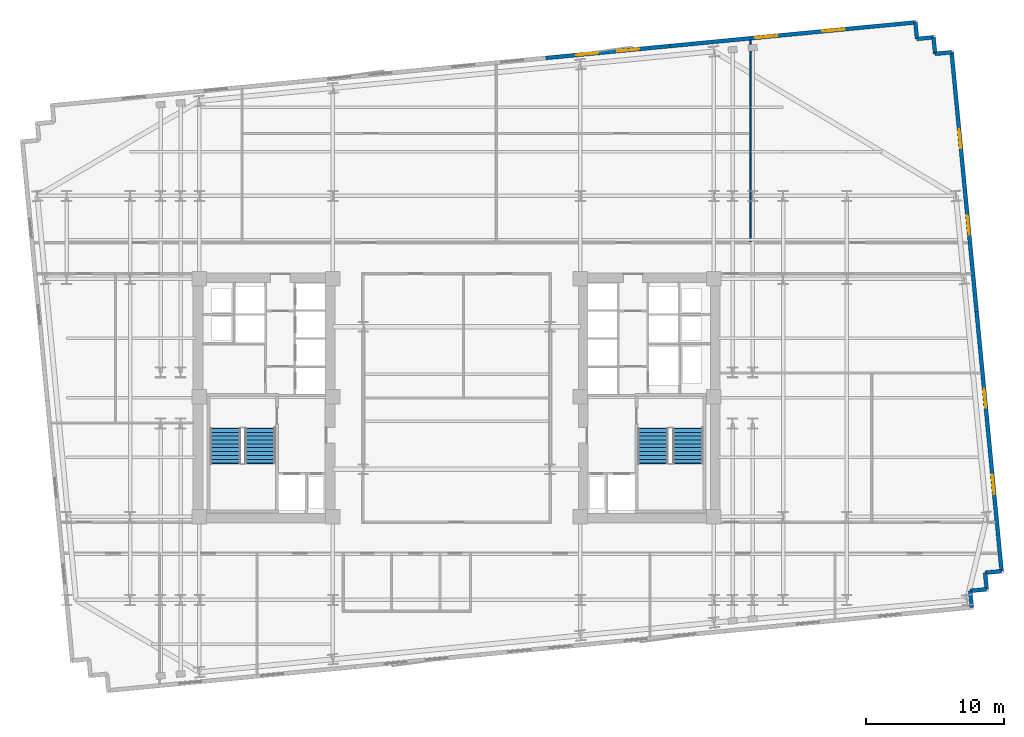
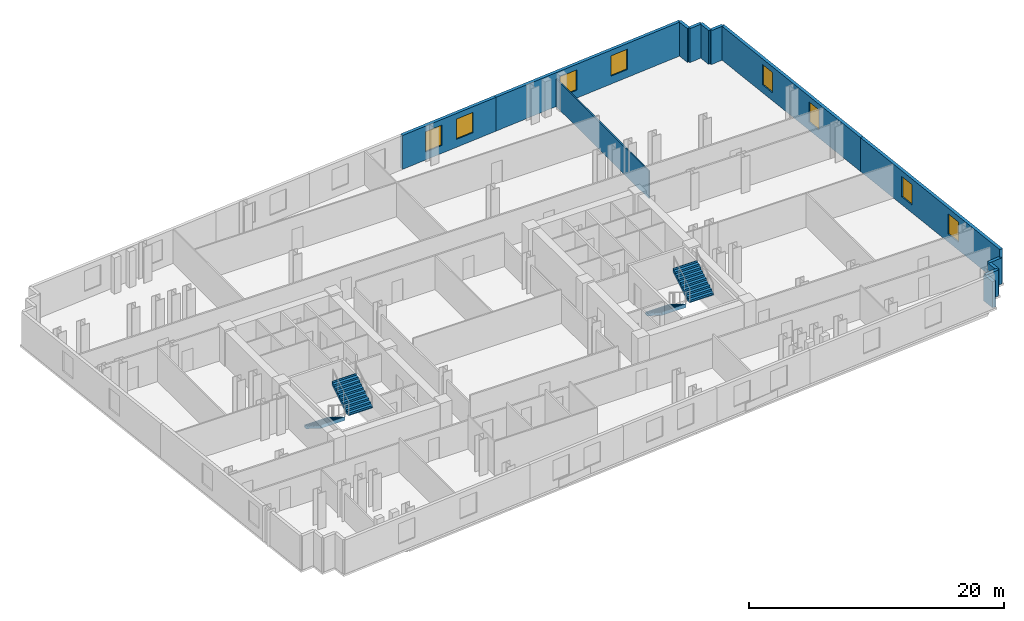
# One storey, part 8 of 10: 13 walls, 8 windows, 4 stair flights, 8 openings, 2 elements without a shape of their own.
"""IFC4 building model written with IfcOpenShell, lengths in metres."""

from ifc_helpers import new_model, si_unit, direction, frame, frame_2d, origin, place, context, subcontext, project, spatial, polyline, rectangle, outline, extrude, material, layer, layer_set, type_object, element, fill, aggregate, save


model = new_model("IFC4")

# Units and contexts
model_context = context("Model", 3, precision=1e-05, world=origin(), true_north=direction((0.0, 1.0)))
body_context = subcontext(model_context, "Body", "Model", "MODEL_VIEW")
ifc_project = project(units=[si_unit("LENGTHUNIT", "METRE"), si_unit("AREAUNIT", "SQUARE_METRE"), si_unit("VOLUMEUNIT", "CUBIC_METRE"), si_unit("PLANEANGLEUNIT", "RADIAN"), si_unit("MASSUNIT", "GRAM", prefix="KILO")], contexts=[model_context])

# Site, building, storey
site_placement = place(None, origin())
site = spatial("IfcSite", under=ifc_project, at=site_placement, CompositionType="ELEMENT")
building_placement = place(site_placement, origin())
building = spatial("IfcBuilding", under=site, at=building_placement, Name="Velakula Bourse", CompositionType="ELEMENT")
storey_placement = place(building_placement, frame((0.0, 0.0, 94.89990234375)))
storey = spatial("IfcBuildingStorey", under=building, at=storey_placement, Name="L25", CompositionType="ELEMENT", Elevation=94.89990234375)

# Wall, openings, windows
ifc_material_1 = material(Name="Red kilned clay facing brick masonry", Category="masonry")
ifc_layer_1 = layer(ifc_material_1, 0.280029296875, Name="Red kilned clay facing brick masonry", Category="masonry")
ifc_layer_set_1 = layer_set([ifc_layer_1], Name="Red kilned clay facing brick masonry")
wall_type_1 = type_object("IfcWallType", Name="WL-EXT-BRK-280", PredefinedType="STANDARD", material=ifc_layer_set_1)
wall_1_placement = place(storey_placement, frame((6.443603515625, 24.573486328125, 0.0), z_axis=(0.0, 0.0, 1.0), x_axis=(0.995396794462, 0.09583956164, 0.0)))
wall_1 = element("IfcWall", 1, at=wall_1_placement, inside=storey, type_object=wall_type_1, Name="L25 N Brick Spandrel Wall B4", PredefinedType="STANDARD", context=body_context, shape_type="SweptSolid", body=[
    extrude(rectangle(XDim=9.0, YDim=0.280029296875, at=frame_2d((4.5, 0.0))), origin(), (0.0, 0.0, 1.0), 3.25),
])
opening_1_placement = place(wall_1_placement, frame((2.199951171875, 0.0, 0.760009765625)))
opening_1 = element("IfcOpeningElement", 2, at=opening_1_placement, cuts=wall_1, Name="Opening W-02", PredefinedType="OPENING", context=body_context, shape_type="SweptSolid", body=[
    extrude(rectangle(XDim=1.60009765625, YDim=1.949951171875, at=frame_2d((0.800048828125, 0.97509765625))), frame((0.0, 0.14990234375, 0.0), z_axis=(0.0, -1.0, 0.0), x_axis=(1.0, 0.0, 0.0)), (0.0, 0.0, 1.0), 0.300048828125),
])
opening_2_placement = place(wall_1_placement, frame((5.199951171875, 0.0, 0.760009765625)))
opening_2 = element("IfcOpeningElement", 3, at=opening_2_placement, cuts=wall_1, Name="Opening W-02", PredefinedType="OPENING", context=body_context, shape_type="SweptSolid", body=[
    extrude(rectangle(XDim=1.60009765625, YDim=1.949951171875, at=frame_2d((0.800048828125, 0.97509765625))), frame((0.0, 0.14990234375, 0.0), z_axis=(0.0, -1.0, 0.0), x_axis=(1.0, 0.0, 0.0)), (0.0, 0.0, 1.0), 0.300048828125),
])
ifc_material_2 = material(Name="Double-glazed solar-control Low-E glass", Category="glass")
window_type_1 = type_object("IfcWindowType", Name="WIN-TWR-1600x2100", PartitioningType="SINGLE_PANEL", PredefinedType="WINDOW", material=ifc_material_2)
window_1_placement = place(opening_1_placement, origin())
window_1 = element("IfcWindow", 4, at=window_1_placement, inside=storey, type_object=window_type_1, Name="L25 Deep-Set Recessed Window 1", OverallHeight=1.949951171875, OverallWidth=1.60009765625, PartitioningType="SINGLE_PANEL", PredefinedType="WINDOW", context=body_context, shape_type="SweptSolid", body=[
    extrude(rectangle(XDim=1.60009765625, YDim=1.949951171875, at=frame_2d((0.800048828125, 0.97509765625))), frame((0.0, 0.030029296875, 0.0), z_axis=(0.0, -1.0, 0.0), x_axis=(1.0, 0.0, 0.0)), (0.0, 0.0, 1.0), 0.06005859375),
])
fill(opening_1, window_1)
window_2_placement = place(opening_2_placement, origin())
window_2 = element("IfcWindow", 5, at=window_2_placement, inside=storey, type_object=window_type_1, Name="L25 Deep-Set Recessed Window 2", OverallHeight=1.949951171875, OverallWidth=1.60009765625, PartitioningType="SINGLE_PANEL", PredefinedType="WINDOW", context=body_context, shape_type="SweptSolid", body=[
    extrude(rectangle(XDim=1.60009765625, YDim=1.949951171875, at=frame_2d((0.800048828125, 0.97509765625))), frame((0.0, 0.030029296875, 0.0), z_axis=(0.0, -1.0, 0.0), x_axis=(1.0, 0.0, 0.0)), (0.0, 0.0, 1.0), 0.06005859375),
])
fill(opening_2, window_2)

wall_2_placement = place(storey_placement, frame((15.402099609375, 25.43603515625, 0.0), z_axis=(0.0, 0.0, 1.0), x_axis=(0.995395780835, 0.095850088663, 0.0)))
wall_2 = element("IfcWall", 6, at=wall_2_placement, inside=storey, type_object=wall_type_1, Name="L25 N Brick Spandrel Wall B5", PredefinedType="STANDARD", context=body_context, shape_type="SweptSolid", body=[
    extrude(rectangle(XDim=17.83984375, YDim=0.280029296875, at=frame_2d((8.919921875, 0.0))), origin(), (0.0, 0.0, 1.0), 3.25),
])
opening_3_placement = place(wall_2_placement, frame((6.19677734375, 0.0, 0.760009765625)))
opening_3 = element("IfcOpeningElement", 7, at=opening_3_placement, cuts=wall_2, Name="Opening W-02", PredefinedType="OPENING", context=body_context, shape_type="SweptSolid", body=[
    extrude(rectangle(XDim=1.60009765625, YDim=1.949951171875, at=frame_2d((0.800048828125, 0.97509765625))), frame((0.0, 0.14990234375, 0.0), z_axis=(0.0, -1.0, 0.0), x_axis=(1.0, 0.0, 0.0)), (0.0, 0.0, 1.0), 0.300048828125),
])
opening_4_placement = place(wall_2_placement, frame((11.09326171875, 0.0, 0.760009765625)))
opening_4 = element("IfcOpeningElement", 8, at=opening_4_placement, cuts=wall_2, Name="Opening W-02", PredefinedType="OPENING", context=body_context, shape_type="SweptSolid", body=[
    extrude(rectangle(XDim=1.60009765625, YDim=1.949951171875, at=frame_2d((0.800048828125, 0.97509765625))), frame((0.0, 0.14990234375, 0.0), z_axis=(0.0, -1.0, 0.0), x_axis=(1.0, 0.0, 0.0)), (0.0, 0.0, 1.0), 0.300048828125),
])
window_3_placement = place(opening_3_placement, origin())
window_3 = element("IfcWindow", 9, at=window_3_placement, inside=storey, type_object=window_type_1, Name="L25 Deep-Set Recessed Window 1", OverallHeight=1.949951171875, OverallWidth=1.60009765625, PartitioningType="SINGLE_PANEL", PredefinedType="WINDOW", context=body_context, shape_type="SweptSolid", body=[
    extrude(rectangle(XDim=1.60009765625, YDim=1.949951171875, at=frame_2d((0.800048828125, 0.97509765625))), frame((0.0, 0.030029296875, 0.0), z_axis=(0.0, -1.0, 0.0), x_axis=(1.0, 0.0, 0.0)), (0.0, 0.0, 1.0), 0.06005859375),
])
fill(opening_3, window_3)
window_4_placement = place(opening_4_placement, origin())
window_4 = element("IfcWindow", 10, at=window_4_placement, inside=storey, type_object=window_type_1, Name="L25 Deep-Set Recessed Window 2", OverallHeight=1.949951171875, OverallWidth=1.60009765625, PartitioningType="SINGLE_PANEL", PredefinedType="WINDOW", context=body_context, shape_type="SweptSolid", body=[
    extrude(rectangle(XDim=1.60009765625, YDim=1.949951171875, at=frame_2d((0.800048828125, 0.97509765625))), frame((0.0, 0.030029296875, 0.0), z_axis=(0.0, -1.0, 0.0), x_axis=(1.0, 0.0, 0.0)), (0.0, 0.0, 1.0), 0.06005859375),
])
fill(opening_4, window_4)

wall_3_placement = place(storey_placement, frame((37.584716796875, 6.23388671875, 0.0), z_axis=(0.0, 0.0, 1.0), x_axis=(0.095841297881, -0.99539662729, 0.0)))
wall_3 = element("IfcWall", 11, at=wall_3_placement, inside=storey, type_object=wall_type_1, Name="L25 E Brick End Wall W1", PredefinedType="STANDARD", context=body_context, shape_type="SweptSolid", body=[
    extrude(rectangle(XDim=18.840087890625, YDim=0.280029296875, at=frame_2d((9.419921875, 0.0))), origin(), (0.0, 0.0, 1.0), 3.25),
])
opening_5_placement = place(wall_3_placement, frame((5.580078125, 0.0, 0.760009765625)))
opening_5 = element("IfcOpeningElement", 12, at=opening_5_placement, cuts=wall_3, Name="Opening W-03", PredefinedType="OPENING", context=body_context, shape_type="SweptSolid", body=[
    extrude(rectangle(XDim=1.39990234375, YDim=1.949951171875, at=frame_2d((0.699951171875, 0.97509765625))), frame((0.0, 0.14990234375, 0.0), z_axis=(0.0, -1.0, 0.0), x_axis=(1.0, 0.0, 0.0)), (0.0, 0.0, 1.0), 0.300048828125),
])
opening_6_placement = place(wall_3_placement, frame((11.860107421875, 0.0, 0.760009765625)))
opening_6 = element("IfcOpeningElement", 13, at=opening_6_placement, cuts=wall_3, Name="Opening W-03", PredefinedType="OPENING", context=body_context, shape_type="SweptSolid", body=[
    extrude(rectangle(XDim=1.39990234375, YDim=1.949951171875, at=frame_2d((0.699951171875, 0.97509765625))), frame((0.0, 0.14990234375, 0.0), z_axis=(0.0, -1.0, 0.0), x_axis=(1.0, 0.0, 0.0)), (0.0, 0.0, 1.0), 0.300048828125),
])
window_type_2 = type_object("IfcWindowType", Name="WIN-TWR-1400x2100", PartitioningType="SINGLE_PANEL", PredefinedType="WINDOW", material=ifc_material_2)
window_5_placement = place(opening_5_placement, origin())
window_5 = element("IfcWindow", 14, at=window_5_placement, inside=storey, type_object=window_type_2, Name="L25 Deep-Set Recessed Window 1", OverallHeight=1.949951171875, OverallWidth=1.39990234375, PartitioningType="SINGLE_PANEL", PredefinedType="WINDOW", context=body_context, shape_type="SweptSolid", body=[
    extrude(rectangle(XDim=1.39990234375, YDim=1.949951171875, at=frame_2d((0.699951171875, 0.97509765625))), frame((0.0, 0.030029296875, 0.0), z_axis=(0.0, -1.0, 0.0), x_axis=(1.0, 0.0, 0.0)), (0.0, 0.0, 1.0), 0.06005859375),
])
fill(opening_5, window_5)
window_6_placement = place(opening_6_placement, origin())
window_6 = element("IfcWindow", 15, at=window_6_placement, inside=storey, type_object=window_type_2, Name="L25 Deep-Set Recessed Window 2", OverallHeight=1.949951171875, OverallWidth=1.39990234375, PartitioningType="SINGLE_PANEL", PredefinedType="WINDOW", context=body_context, shape_type="SweptSolid", body=[
    extrude(rectangle(XDim=1.39990234375, YDim=1.949951171875, at=frame_2d((0.699951171875, 0.97509765625))), frame((0.0, 0.030029296875, 0.0), z_axis=(0.0, -1.0, 0.0), x_axis=(1.0, 0.0, 0.0)), (0.0, 0.0, 1.0), 0.06005859375),
])
fill(opening_6, window_6)

wall_4_placement = place(storey_placement, frame((35.779052734375, 24.987060546875, 0.0), z_axis=(0.0, 0.0, 1.0), x_axis=(0.095842534142, -0.995396508256, 0.0)))
wall_4 = element("IfcWall", 16, at=wall_4_placement, inside=storey, type_object=wall_type_1, Name="L25 E Brick End Wall W2", PredefinedType="STANDARD", context=body_context, shape_type="SweptSolid", body=[
    extrude(rectangle(XDim=18.83984375, YDim=0.280029296875, at=frame_2d((9.419921875, 0.0))), origin(), (0.0, 0.0, 1.0), 3.25),
])
opening_7_placement = place(wall_4_placement, frame((5.580078125, 0.0, 0.760009765625)))
opening_7 = element("IfcOpeningElement", 17, at=opening_7_placement, cuts=wall_4, Name="Opening W-03", PredefinedType="OPENING", context=body_context, shape_type="SweptSolid", body=[
    extrude(rectangle(XDim=1.39990234375, YDim=1.949951171875, at=frame_2d((0.699951171875, 0.97509765625))), frame((0.0, 0.14990234375, 0.0), z_axis=(0.0, -1.0, 0.0), x_axis=(1.0, 0.0, 0.0)), (0.0, 0.0, 1.0), 0.300048828125),
])
opening_8_placement = place(wall_4_placement, frame((11.860107421875, 0.0, 0.760009765625)))
opening_8 = element("IfcOpeningElement", 18, at=opening_8_placement, cuts=wall_4, Name="Opening W-03", PredefinedType="OPENING", context=body_context, shape_type="SweptSolid", body=[
    extrude(rectangle(XDim=1.39990234375, YDim=1.949951171875, at=frame_2d((0.699951171875, 0.97509765625))), frame((0.0, 0.14990234375, 0.0), z_axis=(0.0, -1.0, 0.0), x_axis=(1.0, 0.0, 0.0)), (0.0, 0.0, 1.0), 0.300048828125),
])
window_7_placement = place(opening_7_placement, origin())
window_7 = element("IfcWindow", 19, at=window_7_placement, inside=storey, type_object=window_type_2, Name="L25 Deep-Set Recessed Window 1", OverallHeight=1.949951171875, OverallWidth=1.39990234375, PartitioningType="SINGLE_PANEL", PredefinedType="WINDOW", context=body_context, shape_type="SweptSolid", body=[
    extrude(rectangle(XDim=1.39990234375, YDim=1.949951171875, at=frame_2d((0.699951171875, 0.97509765625))), frame((0.0, 0.030029296875, 0.0), z_axis=(0.0, -1.0, 0.0), x_axis=(1.0, 0.0, 0.0)), (0.0, 0.0, 1.0), 0.06005859375),
])
fill(opening_7, window_7)
window_8_placement = place(opening_8_placement, origin())
window_8 = element("IfcWindow", 20, at=window_8_placement, inside=storey, type_object=window_type_2, Name="L25 Deep-Set Recessed Window 2", OverallHeight=1.949951171875, OverallWidth=1.39990234375, PartitioningType="SINGLE_PANEL", PredefinedType="WINDOW", context=body_context, shape_type="SweptSolid", body=[
    extrude(rectangle(XDim=1.39990234375, YDim=1.949951171875, at=frame_2d((0.699951171875, 0.97509765625))), frame((0.0, 0.030029296875, 0.0), z_axis=(0.0, -1.0, 0.0), x_axis=(1.0, 0.0, 0.0)), (0.0, 0.0, 1.0), 0.06005859375),
])
fill(opening_8, window_8)

# Walls
for number, where, z_axis, x_axis, name in (
    (21, (37.2314453125, -15.138427734375, 0.0), (0.0, 0.0, 1.0), (-0.095817067274, 0.995398960025, 0.0), "L25 Serrated Corner Brick Wall SE-1"),
    (22, (37.116455078125, -13.94384765625, 0.0), (0.0, 0.0, 1.0), (0.995398960025, 0.095817067274, 0.0), "L25 Serrated Corner Brick Wall SE-2"),
):
    element("IfcWall", number, at=place(storey_placement, frame(where, z_axis=z_axis, x_axis=x_axis)), inside=storey, type_object=wall_type_1, Name=name, PredefinedType="STANDARD", context=body_context, shape_type="SweptSolid", body=[
        extrude(rectangle(XDim=1.2001953125, YDim=0.280029296875, at=frame_2d((0.60009765625, 0.0))), origin(), (0.0, 0.0, 1.0), 2.4951171875),
    ])
for number, where, z_axis, x_axis, name in (
    (23, (38.31103515625, -13.828857421875, 0.0), (0.0, 0.0, 1.0), (-0.095836473879, 0.995397091755, 0.0), "L25 Serrated Corner Brick Wall SE-3"),
    (24, (38.196044921875, -12.634521484375, 0.0), (0.0, 0.0, 1.0), (0.995397091755, 0.095836473879, 0.0), "L25 Serrated Corner Brick Wall SE-4"),
):
    element("IfcWall", number, at=place(storey_placement, frame(where, z_axis=z_axis, x_axis=x_axis)), inside=storey, type_object=wall_type_1, Name=name, PredefinedType="STANDARD", context=body_context, shape_type="SweptSolid", body=[
        extrude(rectangle(XDim=1.199951171875, YDim=0.280029296875, at=frame_2d((0.60009765625, 0.0))), origin(), (0.0, 0.0, 1.0), 2.4951171875),
    ])
for number, where, z_axis, x_axis, name in (
    (25, (35.779052734375, 24.987060546875, 0.0), (0.0, 0.0, 1.0), (-0.995398960025, -0.095817067274, 0.0), "L25 Serrated Corner Brick Wall NE-1"),
    (26, (34.58447265625, 24.8720703125, 0.0), (0.0, 0.0, 1.0), (-0.095817067274, 0.995398960025, 0.0), "L25 Serrated Corner Brick Wall NE-2"),
    (27, (34.469482421875, 26.066650390625, 0.0), (0.0, 0.0, 1.0), (-0.995398960025, -0.095817067274, 0.0), "L25 Serrated Corner Brick Wall NE-3"),
):
    element("IfcWall", number, at=place(storey_placement, frame(where, z_axis=z_axis, x_axis=x_axis)), inside=storey, type_object=wall_type_1, Name=name, PredefinedType="STANDARD", context=body_context, shape_type="SweptSolid", body=[
        extrude(rectangle(XDim=1.2001953125, YDim=0.280029296875, at=frame_2d((0.60009765625, 0.0))), origin(), (0.0, 0.0, 1.0), 3.25),
    ])
wall_5_placement = place(storey_placement, frame((33.27490234375, 25.95166015625, 0.0), z_axis=(0.0, 0.0, 1.0), x_axis=(-0.095836473879, 0.995397091755, 0.0)))
element("IfcWall", 28, at=wall_5_placement, inside=storey, type_object=wall_type_1, Name="L25 Serrated Corner Brick Wall NE-4", PredefinedType="STANDARD", context=body_context, shape_type="SweptSolid", body=[
    extrude(rectangle(XDim=1.199951171875, YDim=0.280029296875, at=frame_2d((0.60009765625, 0.0))), origin(), (0.0, 0.0, 1.0), 3.25),
])
ifc_material_3 = material(Name="Fire-rated double-layer gypsum drywall partition", Category="gypsum")
ifc_layer_2 = layer(ifc_material_3, 0.1201171875, Name="Fire-rated double-layer gypsum drywall partition", Category="gypsum")
ifc_layer_set_2 = layer_set([ifc_layer_2], Name="Fire-rated double-layer gypsum drywall partition")
wall_type_2 = type_object("IfcWallType", Name="WL-PART-120", PredefinedType="STANDARD", material=ifc_layer_set_2)
wall_6_placement = place(storey_placement, frame((21.2509765625, 11.2900390625, 0.0), z_axis=(0.0, 0.0, 1.0), x_axis=(0.0, 1.0, 0.0)))
element("IfcWall", 29, at=wall_6_placement, inside=storey, type_object=wall_type_2, Name="L25 Interior Partition WL-INT-L25-N-D3", PredefinedType="STANDARD", context=body_context, shape_type="SweptSolid", body=[
    extrude(rectangle(XDim=14.5888671875, YDim=0.1201171875, at=frame_2d((7.29443359375, 0.0))), origin(), (0.0, 0.0, 1.0), 2.64501953125),
])

# Stair, stair flights
ifc_material_4 = material(Name="Concrete M45 (fck 45 MPa)", Category="concrete")
stair_type = type_object("IfcStairType", Name="STR-DOG-390", PredefinedType="HALF_TURN_STAIR", material=ifc_material_4)
stair_1_placement = place(storey_placement, origin())
stair_1 = element("IfcStair", 30, at=stair_1_placement, inside=storey, type_object=stair_type, Name="L25 West Core Exit Stair ST-W1", PredefinedType="HALF_TURN_STAIR")
ifc_layer_3 = layer(ifc_material_4, 0.195068359375, Name="Concrete M45 (fck 45 MPa)", Category="concrete")
ifc_layer_set_3 = layer_set([ifc_layer_3], Name="Concrete M45 (fck 45 MPa)")
stair_flight_type = type_object("IfcStairFlightType", Name="FLT-DOG-390", PredefinedType="STRAIGHT", material=ifc_layer_set_3)
stair_flight_1_placement = place(storey_placement, frame((-16.720947265625, -2.199951171875, 0.0), z_axis=(0.0, 0.0, 1.0), x_axis=(0.0, -1.0, 0.0)))
stair_flight_1 = element("IfcStairFlight", 31, at=stair_flight_1_placement, type_object=stair_flight_type, Name="ST-W1 flight 1", NumberOfRisers=10, NumberOfTreads=9, PredefinedType="STRAIGHT", RiserHeight=0.1725, TreadLength=0.28, context=body_context, shape_type="SweptSolid", body=[
    extrude(outline(polyline([(-0.044921875, -0.0400390625), (-0.044921875, -0.036865234375), (-0.044921875, -0.033935546875), (-0.044921875, -0.03076171875), (-0.044921875, -0.027587890625), (-0.044921875, -0.024658203125), (-0.044921875, -0.021484375), (-0.044921875, -0.0185546875), (-0.044921875, -0.015380859375), (-0.044921875, -0.01220703125), (-0.044921875, -0.00927734375), (-0.044921875, -0.006103515625), (-0.044921875, -0.003173828125), (-0.044921875, 0.0), (0.0, 0.0), (0.0, 0.172607421875), (0.280029296875, 0.172607421875), (0.280029296875, 0.344970703125), (0.56005859375, 0.344970703125), (0.56005859375, 0.517578125), (0.840087890625, 0.517578125), (0.840087890625, 0.68994140625), (1.1201171875, 0.68994140625), (1.1201171875, 0.862548828125), (1.39990234375, 0.862548828125), (1.39990234375, 1.034912109375), (1.679931640625, 1.034912109375), (1.679931640625, 1.20751953125), (1.9599609375, 1.20751953125), (1.9599609375, 1.3798828125), (2.239990234375, 1.3798828125), (2.239990234375, 1.552490234375), (2.52001953125, 1.552490234375), (2.52001953125, 1.72509765625), (2.56494140625, 1.72509765625), (2.56494140625, 1.7001953125), (2.56494140625, 1.67529296875), (2.56494140625, 1.650390625), (2.56494140625, 1.62548828125), (2.56494140625, 1.6005859375), (2.56494140625, 1.57568359375), (2.56494140625, 1.55078125), (2.56494140625, 1.52587890625), (2.56494140625, 1.5009765625), (2.56494140625, 1.47607421875), (2.56494140625, 1.451171875), (2.56494140625, 1.42626953125), (2.56494140625, 1.4013671875), (2.56494140625, 1.37646484375), (0.285888671875, -0.0400390625), (-0.044921875, -0.0400390625)])), frame((0.0, 1.09912109375, 0.0), z_axis=(0.0, -1.0, 0.0), x_axis=(1.0, 0.0, 0.0)), (0.0, 0.0, 1.0), 2.197998046875),
])
stair_flight_2_placement = place(storey_placement, frame((-14.198974609375, -4.719970703125, 1.72509765625), z_axis=(0.0, 0.0, 1.0), x_axis=(0.0, 1.0, 0.0)))
stair_flight_2 = element("IfcStairFlight", 32, at=stair_flight_2_placement, type_object=stair_flight_type, Name="ST-W1 flight 2", NumberOfRisers=10, NumberOfTreads=9, PredefinedType="STRAIGHT", RiserHeight=0.1725, TreadLength=0.28, context=body_context, shape_type="SweptSolid", body=[
    extrude(outline(polyline([(-0.044921875, -0.0400390625), (-0.044921875, -0.036865234375), (-0.044921875, -0.033935546875), (-0.044921875, -0.03076171875), (-0.044921875, -0.027587890625), (-0.044921875, -0.024658203125), (-0.044921875, -0.021484375), (-0.044921875, -0.0185546875), (-0.044921875, -0.015380859375), (-0.044921875, -0.01220703125), (-0.044921875, -0.00927734375), (-0.044921875, -0.006103515625), (-0.044921875, -0.003173828125), (-0.044921875, 0.0), (0.0, 0.0), (0.0, 0.172607421875), (0.280029296875, 0.172607421875), (0.280029296875, 0.344970703125), (0.56005859375, 0.344970703125), (0.56005859375, 0.517578125), (0.840087890625, 0.517578125), (0.840087890625, 0.68994140625), (1.1201171875, 0.68994140625), (1.1201171875, 0.862548828125), (1.39990234375, 0.862548828125), (1.39990234375, 1.034912109375), (1.679931640625, 1.034912109375), (1.679931640625, 1.20751953125), (1.9599609375, 1.20751953125), (1.9599609375, 1.3798828125), (2.239990234375, 1.3798828125), (2.239990234375, 1.552490234375), (2.52001953125, 1.552490234375), (2.52001953125, 1.72509765625), (2.56494140625, 1.72509765625), (2.56494140625, 1.7001953125), (2.56494140625, 1.67529296875), (2.56494140625, 1.650390625), (2.56494140625, 1.62548828125), (2.56494140625, 1.6005859375), (2.56494140625, 1.57568359375), (2.56494140625, 1.55078125), (2.56494140625, 1.52587890625), (2.56494140625, 1.5009765625), (2.56494140625, 1.47607421875), (2.56494140625, 1.451171875), (2.56494140625, 1.42626953125), (2.56494140625, 1.4013671875), (2.56494140625, 1.37646484375), (0.285888671875, -0.0400390625), (-0.044921875, -0.0400390625)])), frame((0.0, 1.09912109375, 0.0), z_axis=(0.0, -1.0, 0.0), x_axis=(1.0, 0.0, 0.0)), (0.0, 0.0, 1.0), 2.197998046875),
])
aggregate(stair_1, [stair_flight_1, stair_flight_2])

stair_2_placement = place(storey_placement, origin())
stair_2 = element("IfcStair", 33, at=stair_2_placement, inside=storey, type_object=stair_type, Name="L25 East Core Exit Stair ST-E1", PredefinedType="HALF_TURN_STAIR")
stair_flight_3_placement = place(storey_placement, frame((14.198974609375, -2.199951171875, 0.0), z_axis=(0.0, 0.0, 1.0), x_axis=(0.0, -1.0, 0.0)))
stair_flight_3 = element("IfcStairFlight", 34, at=stair_flight_3_placement, type_object=stair_flight_type, Name="ST-E1 flight 1", NumberOfRisers=10, NumberOfTreads=9, PredefinedType="STRAIGHT", RiserHeight=0.1725, TreadLength=0.28, context=body_context, shape_type="SweptSolid", body=[
    extrude(outline(polyline([(-0.044921875, -0.0400390625), (-0.044921875, -0.036865234375), (-0.044921875, -0.033935546875), (-0.044921875, -0.03076171875), (-0.044921875, -0.027587890625), (-0.044921875, -0.024658203125), (-0.044921875, -0.021484375), (-0.044921875, -0.0185546875), (-0.044921875, -0.015380859375), (-0.044921875, -0.01220703125), (-0.044921875, -0.00927734375), (-0.044921875, -0.006103515625), (-0.044921875, -0.003173828125), (-0.044921875, 0.0), (0.0, 0.0), (0.0, 0.172607421875), (0.280029296875, 0.172607421875), (0.280029296875, 0.344970703125), (0.56005859375, 0.344970703125), (0.56005859375, 0.517578125), (0.840087890625, 0.517578125), (0.840087890625, 0.68994140625), (1.1201171875, 0.68994140625), (1.1201171875, 0.862548828125), (1.39990234375, 0.862548828125), (1.39990234375, 1.034912109375), (1.679931640625, 1.034912109375), (1.679931640625, 1.20751953125), (1.9599609375, 1.20751953125), (1.9599609375, 1.3798828125), (2.239990234375, 1.3798828125), (2.239990234375, 1.552490234375), (2.52001953125, 1.552490234375), (2.52001953125, 1.72509765625), (2.56494140625, 1.72509765625), (2.56494140625, 1.7001953125), (2.56494140625, 1.67529296875), (2.56494140625, 1.650390625), (2.56494140625, 1.62548828125), (2.56494140625, 1.6005859375), (2.56494140625, 1.57568359375), (2.56494140625, 1.55078125), (2.56494140625, 1.52587890625), (2.56494140625, 1.5009765625), (2.56494140625, 1.47607421875), (2.56494140625, 1.451171875), (2.56494140625, 1.42626953125), (2.56494140625, 1.4013671875), (2.56494140625, 1.37646484375), (0.285888671875, -0.0400390625), (-0.044921875, -0.0400390625)])), frame((0.0, 1.09912109375, 0.0), z_axis=(0.0, -1.0, 0.0), x_axis=(1.0, 0.0, 0.0)), (0.0, 0.0, 1.0), 2.197998046875),
])
stair_flight_4_placement = place(storey_placement, frame((16.720947265625, -4.719970703125, 1.72509765625), z_axis=(0.0, 0.0, 1.0), x_axis=(0.0, 1.0, 0.0)))
stair_flight_4 = element("IfcStairFlight", 35, at=stair_flight_4_placement, type_object=stair_flight_type, Name="ST-E1 flight 2", NumberOfRisers=10, NumberOfTreads=9, PredefinedType="STRAIGHT", RiserHeight=0.1725, TreadLength=0.28, context=body_context, shape_type="SweptSolid", body=[
    extrude(outline(polyline([(-0.044921875, -0.0400390625), (-0.044921875, -0.036865234375), (-0.044921875, -0.033935546875), (-0.044921875, -0.03076171875), (-0.044921875, -0.027587890625), (-0.044921875, -0.024658203125), (-0.044921875, -0.021484375), (-0.044921875, -0.0185546875), (-0.044921875, -0.015380859375), (-0.044921875, -0.01220703125), (-0.044921875, -0.00927734375), (-0.044921875, -0.006103515625), (-0.044921875, -0.003173828125), (-0.044921875, 0.0), (0.0, 0.0), (0.0, 0.172607421875), (0.280029296875, 0.172607421875), (0.280029296875, 0.344970703125), (0.56005859375, 0.344970703125), (0.56005859375, 0.517578125), (0.840087890625, 0.517578125), (0.840087890625, 0.68994140625), (1.1201171875, 0.68994140625), (1.1201171875, 0.862548828125), (1.39990234375, 0.862548828125), (1.39990234375, 1.034912109375), (1.679931640625, 1.034912109375), (1.679931640625, 1.20751953125), (1.9599609375, 1.20751953125), (1.9599609375, 1.3798828125), (2.239990234375, 1.3798828125), (2.239990234375, 1.552490234375), (2.52001953125, 1.552490234375), (2.52001953125, 1.72509765625), (2.56494140625, 1.72509765625), (2.56494140625, 1.7001953125), (2.56494140625, 1.67529296875), (2.56494140625, 1.650390625), (2.56494140625, 1.62548828125), (2.56494140625, 1.6005859375), (2.56494140625, 1.57568359375), (2.56494140625, 1.55078125), (2.56494140625, 1.52587890625), (2.56494140625, 1.5009765625), (2.56494140625, 1.47607421875), (2.56494140625, 1.451171875), (2.56494140625, 1.42626953125), (2.56494140625, 1.4013671875), (2.56494140625, 1.37646484375), (0.285888671875, -0.0400390625), (-0.044921875, -0.0400390625)])), frame((0.0, 1.09912109375, 0.0), z_axis=(0.0, -1.0, 0.0), x_axis=(1.0, 0.0, 0.0)), (0.0, 0.0, 1.0), 2.197998046875),
])
aggregate(stair_2, [stair_flight_3, stair_flight_4])

save(model, "model.ifc")
